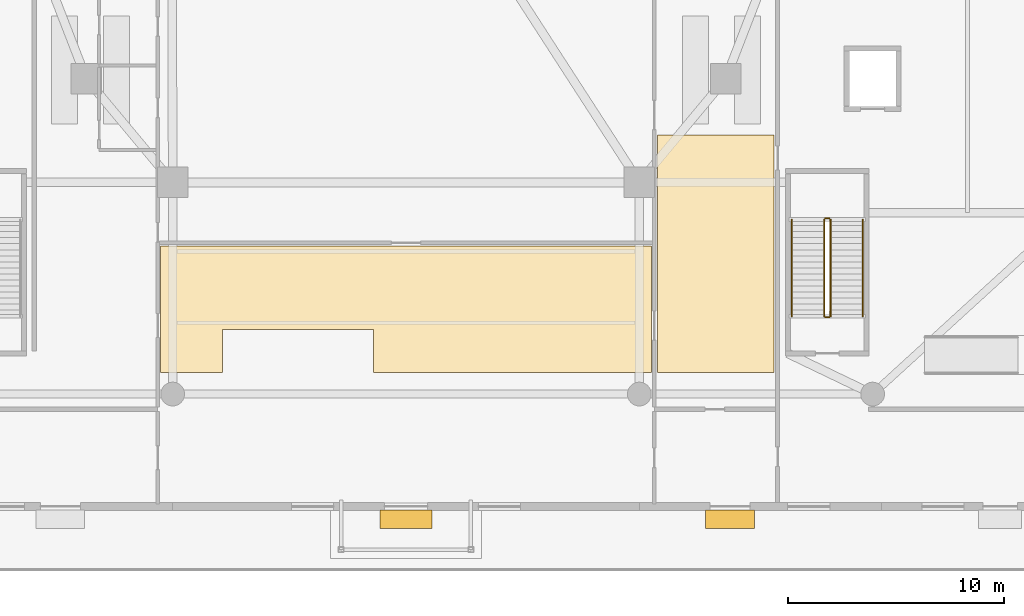
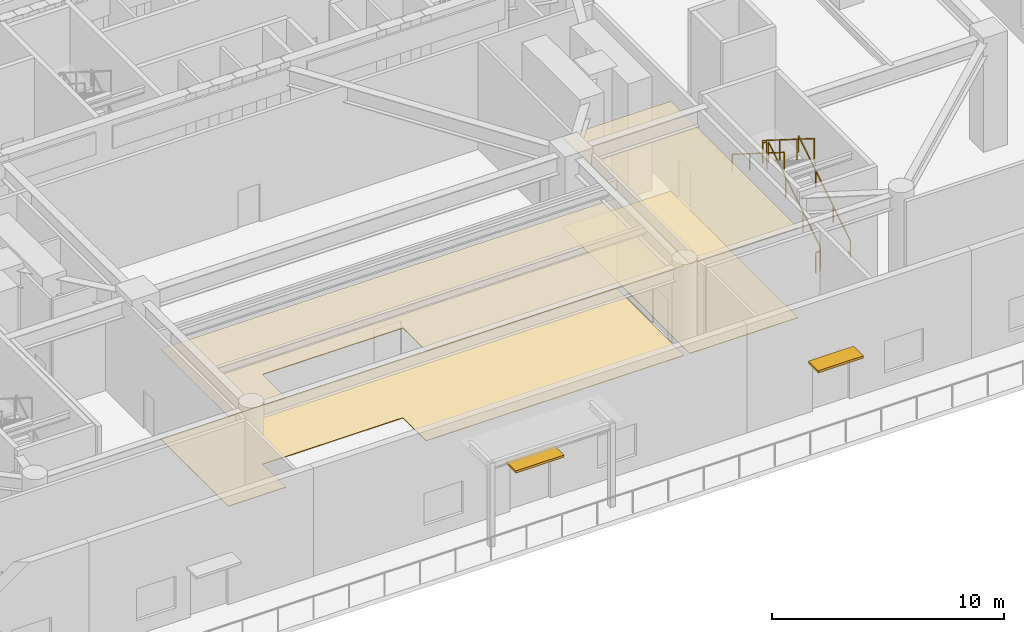
# One storey, part 14 of 21: 6 railings, 4 coverings, 2 shading devices.
"""IFC4 building model written with IfcOpenShell, lengths in metres."""

from ifc_helpers import new_model, si_unit, direction, frame, origin, origin_2d, place, context, subcontext, project, spatial, polyline, rectangle, outline, extrude, material, layer, layer_set, type_object, element, save


model = new_model("IFC4")

# Units and contexts
model_context = context("Model", 3, precision=1e-05, world=origin(), true_north=direction((0.0, 1.0)))
body_context = subcontext(model_context, "Body", "Model", "MODEL_VIEW")
ifc_project = project(units=[si_unit("LENGTHUNIT", "METRE"), si_unit("AREAUNIT", "SQUARE_METRE"), si_unit("VOLUMEUNIT", "CUBIC_METRE"), si_unit("PLANEANGLEUNIT", "RADIAN"), si_unit("MASSUNIT", "GRAM", prefix="KILO")], contexts=[model_context])

# Site, building, storey
site_placement = place(None, origin())
site = spatial("IfcSite", under=ifc_project, at=site_placement, CompositionType="ELEMENT")
building_placement = place(site_placement, origin())
building = spatial("IfcBuilding", under=site, at=building_placement, Name="Haldorwick Loom Tower", CompositionType="ELEMENT")
storey_placement = place(building_placement, origin())
storey = spatial("IfcBuildingStorey", under=building, at=storey_placement, Name="L00", CompositionType="ELEMENT", Elevation=0.0)

# Coverings
ifc_material_1 = material(Name="Mineral Fibre Acoustic Ceiling Tile")
ifc_layer_1 = layer(ifc_material_1, 0.0400390625, Name="Mineral Fibre Acoustic Ceiling Tile")
ifc_layer_set_1 = layer_set([ifc_layer_1], Name="Mineral Fibre Acoustic Ceiling Tile")
covering_type_1 = type_object("IfcCoveringType", Name="ARC-COV-CEIL", PredefinedType="CEILING", material=ifc_layer_set_1)
covering_1_placement = place(storey_placement, frame((0.0, 0.0, 4.72509765625)))
element("IfcCovering", 1, at=covering_1_placement, inside=storey, type_object=covering_type_1, Name="L00 Acoustic Suspended Ceiling 1", PredefinedType="CEILING", context=body_context, shape_type="SweptSolid", body=[
    extrude(outline(polyline([(24.639892578125, 6.199951171875), (27.5, 6.199951171875), (27.5, 8.199951171875), (34.5, 8.199951171875), (34.5, 6.199951171875), (47.360107421875, 6.199951171875), (47.360107421875, 12.06005859375), (24.639892578125, 12.06005859375), (24.639892578125, 6.199951171875)])), origin(), (0.0, 0.0, 1.0), 0.039794921875),
])
covering_2_placement = place(storey_placement, frame((0.0, 0.0, 4.72509765625)))
element("IfcCovering", 2, at=covering_2_placement, inside=storey, type_object=covering_type_1, Name="L00 Acoustic Suspended Ceiling 2", PredefinedType="CEILING", context=body_context, shape_type="SweptSolid", body=[
    extrude(outline(polyline([(47.639892578125, 6.199951171875), (53.0400390625, 6.199951171875), (53.0400390625, 17.199951171875), (47.639892578125, 17.199951171875), (47.639892578125, 6.199951171875)])), origin(), (0.0, 0.0, 1.0), 0.039794921875),
])
ifc_material_2 = material(Name="Polished Aggregate Terrazzo Finish")
ifc_layer_2 = layer(ifc_material_2, 0.030029296875, Name="Polished Aggregate Terrazzo Finish")
ifc_layer_set_2 = layer_set([ifc_layer_2], Name="Polished Aggregate Terrazzo Finish")
covering_type_2 = type_object("IfcCoveringType", Name="ARC-COV-FLOOR", PredefinedType="FLOORING", material=ifc_layer_set_2)
covering_3_placement = place(storey_placement, origin())
element("IfcCovering", 3, at=covering_3_placement, inside=storey, type_object=covering_type_2, Name="L00 Floor Finish 1", PredefinedType="FLOORING", context=body_context, shape_type="SweptSolid", body=[
    extrude(outline(polyline([(24.639892578125, 6.199951171875), (27.5, 6.199951171875), (27.5, 8.199951171875), (34.5, 8.199951171875), (34.5, 6.199951171875), (47.360107421875, 6.199951171875), (47.360107421875, 12.06005859375), (24.639892578125, 12.06005859375), (24.639892578125, 6.199951171875)])), origin(), (0.0, 0.0, 1.0), 0.030029296875),
])
covering_4_placement = place(storey_placement, origin())
element("IfcCovering", 4, at=covering_4_placement, inside=storey, type_object=covering_type_2, Name="L00 Floor Finish 2", PredefinedType="FLOORING", context=body_context, shape_type="SweptSolid", body=[
    extrude(outline(polyline([(47.639892578125, 6.199951171875), (53.0400390625, 6.199951171875), (53.0400390625, 17.199951171875), (47.639892578125, 17.199951171875), (47.639892578125, 6.199951171875)])), origin(), (0.0, 0.0, 1.0), 0.030029296875),
])

# Railings
ifc_material_3 = material(Name="Steel CSA G40.21 350W", Category="steel")
railing_type_1 = type_object("IfcRailingType", Name="ARC-RLG-GUARD112", PredefinedType="GUARDRAIL", material=ifc_material_3)
railing_1_placement = place(storey_placement, frame((55.64990234375, 8.800048828125, 0.176513671875)))
element("IfcRailing", 5, at=railing_1_placement, inside=storey, type_object=railing_type_1, Name="L00 ST-P2 stair guard 1", PredefinedType="GUARDRAIL", context=body_context, shape_type="SweptSolid", body=[
    extrude(rectangle(XDim=0.048095703125, YDim=0.048095703125, at=origin_2d()), frame((0.0, 0.0, 1.076171875), z_axis=(0.0, 0.845997938375, 0.533186166611), x_axis=(-1.0, 0.0, 0.0)), (0.0, 0.0, 1.0), 5.29541015625),
    extrude(rectangle(XDim=0.0419921875, YDim=0.0419921875, at=origin_2d()), origin(), (0.0, 0.0, 1.0), 1.052001953125),
    extrude(rectangle(XDim=0.0419921875, YDim=0.0419921875, at=origin_2d()), frame((0.0, 1.493408203125, 0.941162109375)), (0.0, 0.0, 1.0), 1.052001953125),
    extrude(rectangle(XDim=0.0419921875, YDim=0.0419921875, at=origin_2d()), frame((0.0, 2.986572265625, 1.88232421875)), (0.0, 0.0, 1.0), 1.052001953125),
    extrude(rectangle(XDim=0.0419921875, YDim=0.0419921875, at=origin_2d()), frame((0.0, 4.47998046875, 2.823486328125)), (0.0, 0.0, 1.0), 1.052001953125),
])
railing_2_placement = place(storey_placement, frame((55.60009765625, 13.330078125, 3.0)))
element("IfcRailing", 6, at=railing_2_placement, inside=storey, type_object=railing_type_1, Name="L00 ST-P2 stair guard 2", PredefinedType="GUARDRAIL", context=body_context, shape_type="SweptSolid", body=[
    extrude(rectangle(XDim=0.048095703125, YDim=0.048095703125, at=origin_2d()), frame((0.0, 0.0, 1.076171875), z_axis=(-1.0, 0.0, 0.0), x_axis=(0.0, -1.0, 0.0)), (0.0, 0.0, 1.0), 0.2001953125),
    extrude(rectangle(XDim=0.0419921875, YDim=0.0419921875, at=origin_2d()), origin(), (0.0, 0.0, 1.0), 1.052001953125),
    extrude(rectangle(XDim=0.0419921875, YDim=0.0419921875, at=origin_2d()), frame((-0.2001953125, 0.0, 0.0)), (0.0, 0.0, 1.0), 1.052001953125),
])
railing_3_placement = place(storey_placement, frame((55.35009765625, 13.280029296875, 3.176513671875)))
element("IfcRailing", 7, at=railing_3_placement, inside=storey, type_object=railing_type_1, Name="L00 ST-P2 stair guard 3", PredefinedType="GUARDRAIL", context=body_context, shape_type="SweptSolid", body=[
    extrude(rectangle(XDim=0.048095703125, YDim=0.048095703125, at=origin_2d()), frame((0.0, 0.0, 1.076171875), z_axis=(0.0, -0.845997938375, 0.533186166611), x_axis=(1.0, 0.0, 0.0)), (0.0, 0.0, 1.0), 5.29541015625),
    extrude(rectangle(XDim=0.0419921875, YDim=0.0419921875, at=origin_2d()), origin(), (0.0, 0.0, 1.0), 1.052001953125),
    extrude(rectangle(XDim=0.0419921875, YDim=0.0419921875, at=origin_2d()), frame((0.0, -1.493408203125, 0.941162109375)), (0.0, 0.0, 1.0), 1.052001953125),
    extrude(rectangle(XDim=0.0419921875, YDim=0.0419921875, at=origin_2d()), frame((0.0, -2.986572265625, 1.88232421875)), (0.0, 0.0, 1.0), 1.052001953125),
    extrude(rectangle(XDim=0.0419921875, YDim=0.0419921875, at=origin_2d()), frame((0.0, -4.47998046875, 2.823486328125)), (0.0, 0.0, 1.0), 1.052001953125),
])
railing_4_placement = place(storey_placement, frame((55.60009765625, 8.75, 0.0)))
element("IfcRailing", 8, at=railing_4_placement, inside=storey, type_object=railing_type_1, Name="L00 ST-P2 stair guard 4", PredefinedType="GUARDRAIL", context=body_context, shape_type="SweptSolid", body=[
    extrude(rectangle(XDim=0.048095703125, YDim=0.048095703125, at=origin_2d()), frame((0.0, 0.0, 1.076171875), z_axis=(-1.0, 0.0, 0.0), x_axis=(0.0, -1.0, 0.0)), (0.0, 0.0, 1.0), 0.2001953125),
    extrude(rectangle(XDim=0.0419921875, YDim=0.0419921875, at=origin_2d()), origin(), (0.0, 0.0, 1.0), 1.052001953125),
    extrude(rectangle(XDim=0.0419921875, YDim=0.0419921875, at=origin_2d()), frame((-0.2001953125, 0.0, 0.0)), (0.0, 0.0, 1.0), 1.052001953125),
])
railing_type_2 = type_object("IfcRailingType", Name="ARC-RLG-HAND092", PredefinedType="HANDRAIL", material=ifc_material_3)
railing_5_placement = place(storey_placement, frame((57.14990234375, 8.800048828125, 0.176513671875)))
element("IfcRailing", 9, at=railing_5_placement, inside=storey, type_object=railing_type_2, Name="L00 ST-P2 stair handrail 1", PredefinedType="HANDRAIL", context=body_context, shape_type="SweptSolid", body=[
    extrude(rectangle(XDim=0.048095703125, YDim=0.048095703125, at=origin_2d()), frame((0.0, 0.0, 0.8759765625), z_axis=(0.0, 0.845997938375, 0.533186166611), x_axis=(-1.0, 0.0, 0.0)), (0.0, 0.0, 1.0), 5.29541015625),
    extrude(rectangle(XDim=0.0419921875, YDim=0.0419921875, at=origin_2d()), origin(), (0.0, 0.0, 1.0), 0.851806640625),
    extrude(rectangle(XDim=0.0419921875, YDim=0.0419921875, at=origin_2d()), frame((0.0, 1.493408203125, 0.941162109375)), (0.0, 0.0, 1.0), 0.851806640625),
    extrude(rectangle(XDim=0.0419921875, YDim=0.0419921875, at=origin_2d()), frame((0.0, 2.986572265625, 1.88232421875)), (0.0, 0.0, 1.0), 0.851806640625),
    extrude(rectangle(XDim=0.0419921875, YDim=0.0419921875, at=origin_2d()), frame((0.0, 4.47998046875, 2.823486328125)), (0.0, 0.0, 1.0), 0.851806640625),
])
railing_6_placement = place(storey_placement, frame((53.85009765625, 13.280029296875, 3.176513671875)))
element("IfcRailing", 10, at=railing_6_placement, inside=storey, type_object=railing_type_2, Name="L00 ST-P2 stair handrail 2", PredefinedType="HANDRAIL", context=body_context, shape_type="SweptSolid", body=[
    extrude(rectangle(XDim=0.048095703125, YDim=0.048095703125, at=origin_2d()), frame((0.0, 0.0, 0.8759765625), z_axis=(0.0, -0.845997938375, 0.533186166611), x_axis=(1.0, 0.0, 0.0)), (0.0, 0.0, 1.0), 5.29541015625),
    extrude(rectangle(XDim=0.0419921875, YDim=0.0419921875, at=origin_2d()), origin(), (0.0, 0.0, 1.0), 0.851806640625),
    extrude(rectangle(XDim=0.0419921875, YDim=0.0419921875, at=origin_2d()), frame((0.0, -1.493408203125, 0.941162109375)), (0.0, 0.0, 1.0), 0.851806640625),
    extrude(rectangle(XDim=0.0419921875, YDim=0.0419921875, at=origin_2d()), frame((0.0, -2.986572265625, 1.88232421875)), (0.0, 0.0, 1.0), 0.851806640625),
    extrude(rectangle(XDim=0.0419921875, YDim=0.0419921875, at=origin_2d()), frame((0.0, -4.47998046875, 2.823486328125)), (0.0, 0.0, 1.0), 0.851806640625),
])

# Shading devices
ifc_material_4 = material(Name="Extruded Anodized Aluminium Weather Louvre", Category="aluminium")
shading_device_type_1 = type_object("IfcShadingDeviceType", Name="ARC-SHD-AWNING", PredefinedType="AWNING", material=ifc_material_4)
shading_device_1_placement = place(storey_placement, frame((51.0, -0.60009765625, 2.58984375), z_axis=(0.0, 0.0, 1.0), x_axis=(1.0, 0.0, 0.0)))
element("IfcShadingDevice", 11, at=shading_device_1_placement, inside=storey, type_object=shading_device_type_1, Name="L00 Entrance Sunshade Canopy EX-03", PredefinedType="AWNING", context=body_context, shape_type="SweptSolid", body=[
    extrude(rectangle(XDim=2.25, YDim=0.85009765625, at=origin_2d()), origin(), (0.0, 0.0, 1.0), 0.1201171875),
])
shading_device_type_2 = type_object("IfcShadingDeviceType", Name="ARC-SHD-AWNING2", PredefinedType="AWNING", material=ifc_material_4)
shading_device_2_placement = place(storey_placement, frame((36.0, -0.60009765625, 2.58984375), z_axis=(0.0, 0.0, 1.0), x_axis=(1.0, 0.0, 0.0)))
element("IfcShadingDevice", 12, at=shading_device_2_placement, inside=storey, type_object=shading_device_type_2, Name="L00 Entrance Sunshade Canopy EX-01", PredefinedType="AWNING", context=body_context, shape_type="SweptSolid", body=[
    extrude(rectangle(XDim=2.39990234375, YDim=0.85009765625, at=origin_2d()), origin(), (0.0, 0.0, 1.0), 0.1201171875),
])

save(model, "model.ifc")
